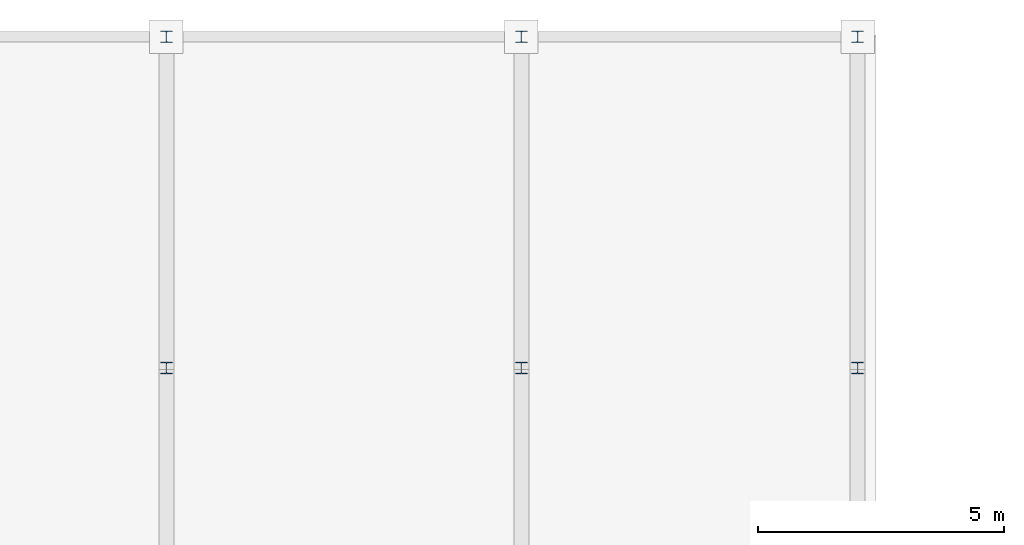
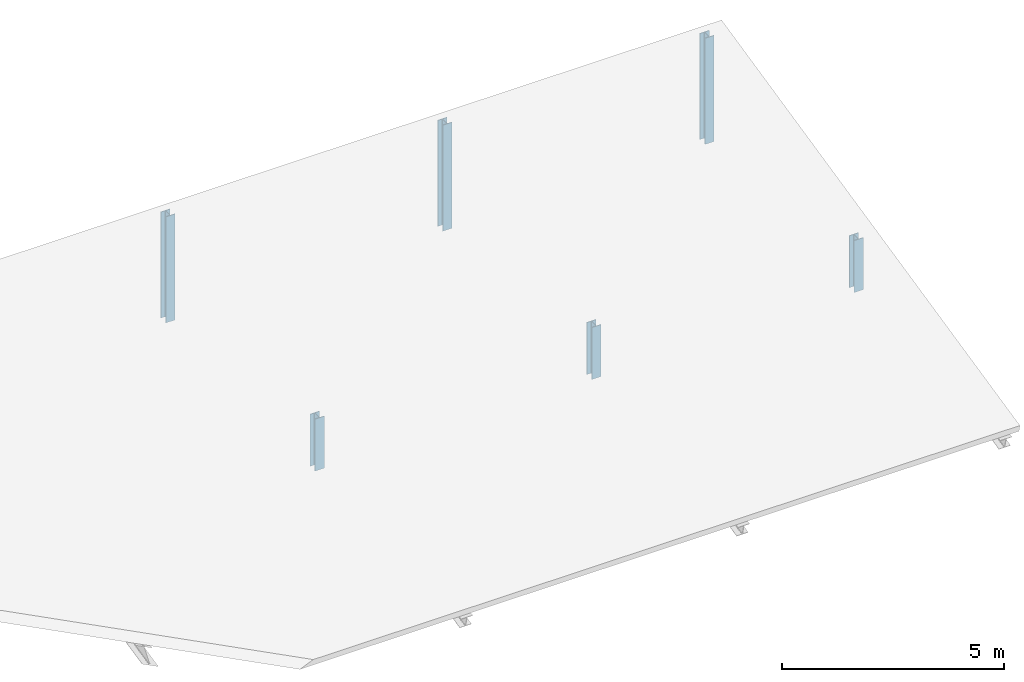
# One storey, part 3 of 15: 6 columns.
"""IFC4 building model written with IfcOpenShell, lengths in metres."""

from ifc_helpers import new_model, si_unit, direction, frame, origin, origin_2d, place, context, subcontext, project, spatial, i_section, extrude, material, material_profile, profile_set, type_object, element, save


model = new_model("IFC4")

# Units and contexts
model_context = context("Model", 3, precision=1e-05, world=origin(), true_north=direction((0.0, 1.0)))
body_context = subcontext(model_context, "Body", "Model", "MODEL_VIEW")
ifc_project = project(units=[si_unit("LENGTHUNIT", "METRE"), si_unit("AREAUNIT", "SQUARE_METRE"), si_unit("VOLUMEUNIT", "CUBIC_METRE"), si_unit("PLANEANGLEUNIT", "RADIAN"), si_unit("MASSUNIT", "GRAM", prefix="KILO")], contexts=[model_context])

# Site, building, storey
site_placement = place(None, origin())
site = spatial("IfcSite", under=ifc_project, at=site_placement, CompositionType="ELEMENT")
building_placement = place(site_placement, origin())
building = spatial("IfcBuilding", under=site, at=building_placement, Name="Vardoun Plaza Health Centre", CompositionType="ELEMENT")
storey_placement = place(building_placement, frame((0.0, 0.0, 17.10009765625)))
storey = spatial("IfcBuildingStorey", under=building, at=storey_placement, Name="L04", CompositionType="ELEMENT", Elevation=17.10009765625)

# Columns
ifc_material = material(Name="Steel S355J2", Category="steel")
ifc_material_profile = material_profile(ifc_material, i_section(OverallWidth=0.239990234375, OverallDepth=0.239990234375, WebThickness=0.010009765625, FlangeThickness=0.01708984375, FilletRadius=0.02099609375, at=origin_2d()), Name="HEB 240")
ifc_profile_set = profile_set([ifc_material_profile], Name="Steel S355J2")
column_type = type_object("IfcColumnType", Name="C-19", PredefinedType="COLUMN", material=ifc_profile_set)
column_1_placement = place(storey_placement, frame((33.300048828125, 114.919921875, -0.175048828125), z_axis=(0.0, 0.0, 1.0), x_axis=(1.0, 0.0, 0.0)))
element("IfcColumn", 1, at=column_1_placement, inside=storey, type_object=column_type, Name="V3 Sawtooth Ridge Post 3.5", PredefinedType="COLUMN", context=body_context, shape_type="SweptSolid", body=[
    extrude(i_section(OverallWidth=0.239990234375, OverallDepth=0.239990234375, WebThickness=0.010009765625, FlangeThickness=0.01708984375, FilletRadius=0.02099609375, at=origin_2d()), origin(), (0.0, 0.0, 1.0), 2.9150390625),
])
column_2_placement = place(storey_placement, frame((33.300048828125, 108.199951171875, -0.175048828125), z_axis=(0.0, 0.0, 1.0), x_axis=(1.0, 0.0, 0.0)))
element("IfcColumn", 2, at=column_2_placement, inside=storey, type_object=column_type, Name="V3 Sawtooth Mid Post 3.5", PredefinedType="COLUMN", context=body_context, shape_type="SweptSolid", body=[
    extrude(i_section(OverallWidth=0.239990234375, OverallDepth=0.239990234375, WebThickness=0.010009765625, FlangeThickness=0.01708984375, FilletRadius=0.02099609375, at=origin_2d()), origin(), (0.0, 0.0, 1.0), 1.429931640625),
])
column_3_placement = place(storey_placement, frame((40.5, 114.919921875, -0.175048828125), z_axis=(0.0, 0.0, 1.0), x_axis=(1.0, 0.0, 0.0)))
element("IfcColumn", 3, at=column_3_placement, inside=storey, type_object=column_type, Name="V3 Sawtooth Ridge Post 3.6", PredefinedType="COLUMN", context=body_context, shape_type="SweptSolid", body=[
    extrude(i_section(OverallWidth=0.239990234375, OverallDepth=0.239990234375, WebThickness=0.010009765625, FlangeThickness=0.01708984375, FilletRadius=0.02099609375, at=origin_2d()), origin(), (0.0, 0.0, 1.0), 2.9150390625),
])
column_4_placement = place(storey_placement, frame((40.5, 108.199951171875, -0.175048828125), z_axis=(0.0, 0.0, 1.0), x_axis=(1.0, 0.0, 0.0)))
element("IfcColumn", 4, at=column_4_placement, inside=storey, type_object=column_type, Name="V3 Sawtooth Mid Post 3.6", PredefinedType="COLUMN", context=body_context, shape_type="SweptSolid", body=[
    extrude(i_section(OverallWidth=0.239990234375, OverallDepth=0.239990234375, WebThickness=0.010009765625, FlangeThickness=0.01708984375, FilletRadius=0.02099609375, at=origin_2d()), origin(), (0.0, 0.0, 1.0), 1.429931640625),
])
column_5_placement = place(storey_placement, frame((47.320068359375, 114.919921875, -0.175048828125), z_axis=(0.0, 0.0, 1.0), x_axis=(1.0, 0.0, 0.0)))
element("IfcColumn", 5, at=column_5_placement, inside=storey, type_object=column_type, Name="V3 Sawtooth Ridge Post 3.7", PredefinedType="COLUMN", context=body_context, shape_type="SweptSolid", body=[
    extrude(i_section(OverallWidth=0.239990234375, OverallDepth=0.239990234375, WebThickness=0.010009765625, FlangeThickness=0.01708984375, FilletRadius=0.02099609375, at=origin_2d()), origin(), (0.0, 0.0, 1.0), 2.9150390625),
])
column_6_placement = place(storey_placement, frame((47.320068359375, 108.199951171875, -0.175048828125), z_axis=(0.0, 0.0, 1.0), x_axis=(1.0, 0.0, 0.0)))
element("IfcColumn", 6, at=column_6_placement, inside=storey, type_object=column_type, Name="V3 Sawtooth Mid Post 3.7", PredefinedType="COLUMN", context=body_context, shape_type="SweptSolid", body=[
    extrude(i_section(OverallWidth=0.239990234375, OverallDepth=0.239990234375, WebThickness=0.010009765625, FlangeThickness=0.01708984375, FilletRadius=0.02099609375, at=origin_2d()), origin(), (0.0, 0.0, 1.0), 1.429931640625),
])

save(model, "model.ifc")
